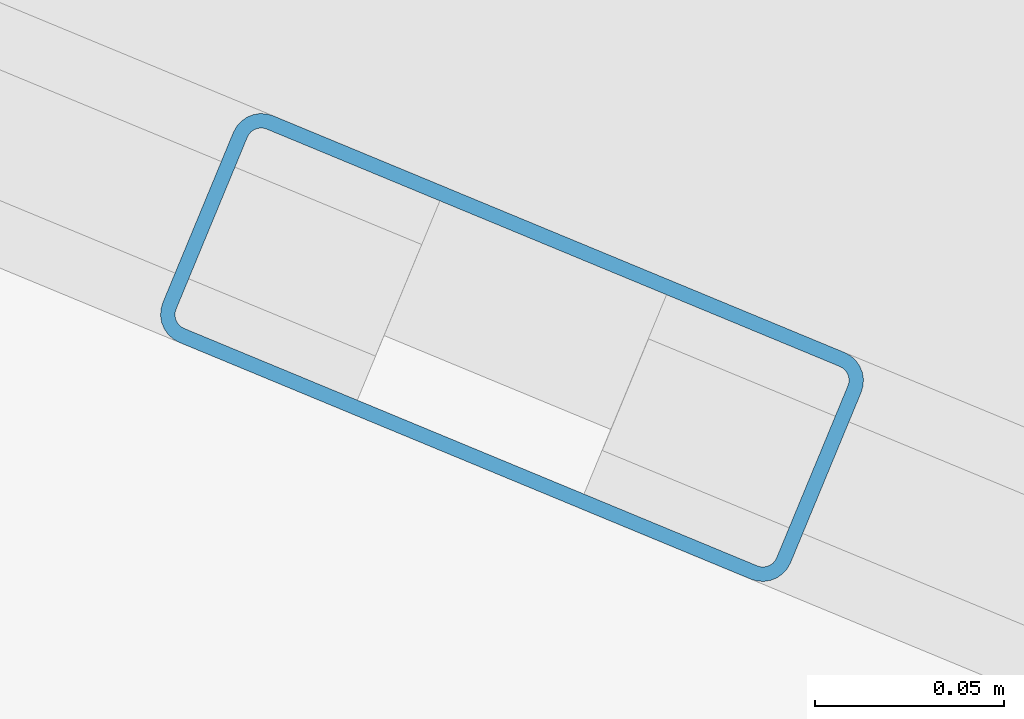
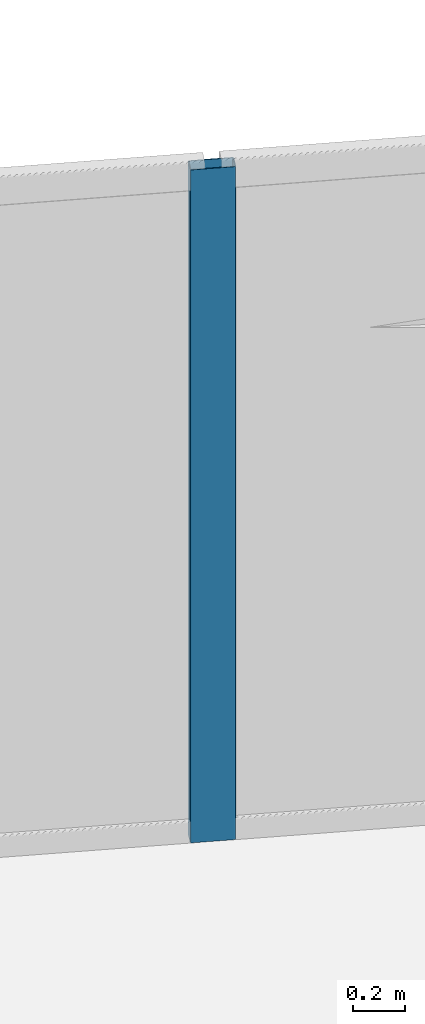
# One storey, part 15 of 22: 1 member, 1 element without a shape of its own.
"""IFC4 building model written with IfcOpenShell, lengths in metres."""

from ifc_helpers import new_model, si_unit, direction, frame, origin, origin_2d, place, context, subcontext, project, spatial, hollow_rectangle, extrude, source, transform, mapped, material, material_profile, profile_set, type_object, element, aggregate, save


model = new_model("IFC4")

# Units and contexts
model_context = context("Model", 3, precision=1e-05, world=origin(), true_north=direction((0.0, 1.0)))
body_context = subcontext(model_context, "Body", "Model", "MODEL_VIEW")
ifc_project = project(units=[si_unit("LENGTHUNIT", "METRE"), si_unit("AREAUNIT", "SQUARE_METRE"), si_unit("VOLUMEUNIT", "CUBIC_METRE"), si_unit("PLANEANGLEUNIT", "RADIAN"), si_unit("MASSUNIT", "GRAM", prefix="KILO")], contexts=[model_context])

# Site, building, storey
site_placement = place(None, origin())
site = spatial("IfcSite", under=ifc_project, at=site_placement, CompositionType="ELEMENT")
building_placement = place(site_placement, origin())
building = spatial("IfcBuilding", under=site, at=building_placement, Name="Torre Montelarca", CompositionType="ELEMENT")
storey_placement = place(building_placement, frame((0.0, 0.0, 149.800048828125)))
storey = spatial("IfcBuildingStorey", under=building, at=storey_placement, Name="L33", CompositionType="ELEMENT", Elevation=149.800048828125)

# Curtain wall, member
ifc_material_1 = material(Name="Insulated low-E laminated glass", Category="glass")
curtain_wall_type = type_object("IfcCurtainWallType", Name="CW-SYS-Z2", PredefinedType="USERDEFINED", material=ifc_material_1)
curtain_wall_placement = place(storey_placement, origin())
curtain_wall = element("IfcCurtainWall", 1, at=curtain_wall_placement, inside=storey, type_object=curtain_wall_type, Name="L33 Curtain Wall Run CW-T3-L33-E08-B1", ObjectType="UNITISED GLAZING", PredefinedType="USERDEFINED")
ifc_material_2 = material(Name="Anodised aluminium AA 6063-T6", Category="aluminium")
ifc_material_profile = material_profile(ifc_material_2, hollow_rectangle(XDim=0.06494140625, YDim=0.179931640625, WallThickness=0.00390625, InnerFilletRadius=0.00390625, OuterFilletRadius=0.008056640625, at=origin_2d()), Name="ALU65X180X4", Category="aluminium")
ifc_profile_set = profile_set([ifc_material_profile], Name="Anodised aluminium AA 6063-T6")
member_type = type_object("IfcMemberType", Name="CWM-ALU180", PredefinedType="MULLION", material=ifc_profile_set)
shared_shape = source(origin(), body_context, "Body", "SweptSolid", [
    extrude(hollow_rectangle(XDim=0.06494140625, YDim=0.179931640625, WallThickness=0.00390625, InnerFilletRadius=0.00390625, OuterFilletRadius=0.008056640625, at=origin_2d()), origin(), (0.0, 0.0, 1.0), 3.175048828125),
])
member_placement = place(storey_placement, frame((38.71484375, 42.263427734375, 0.0), z_axis=(0.0, 0.0, 1.0), x_axis=(-0.382686042427, -0.923878451384, 0.0)))
member = element("IfcMember", 2, at=member_placement, type_object=member_type, Name="CW mullion 2", PredefinedType="MULLION", context=body_context, shape_type="MappedRepresentation", body=[
    mapped(shared_shape, transform((0.0, 0.0, 0.0), scale=1.0)),
])
aggregate(curtain_wall, [member])

save(model, "model.ifc")
